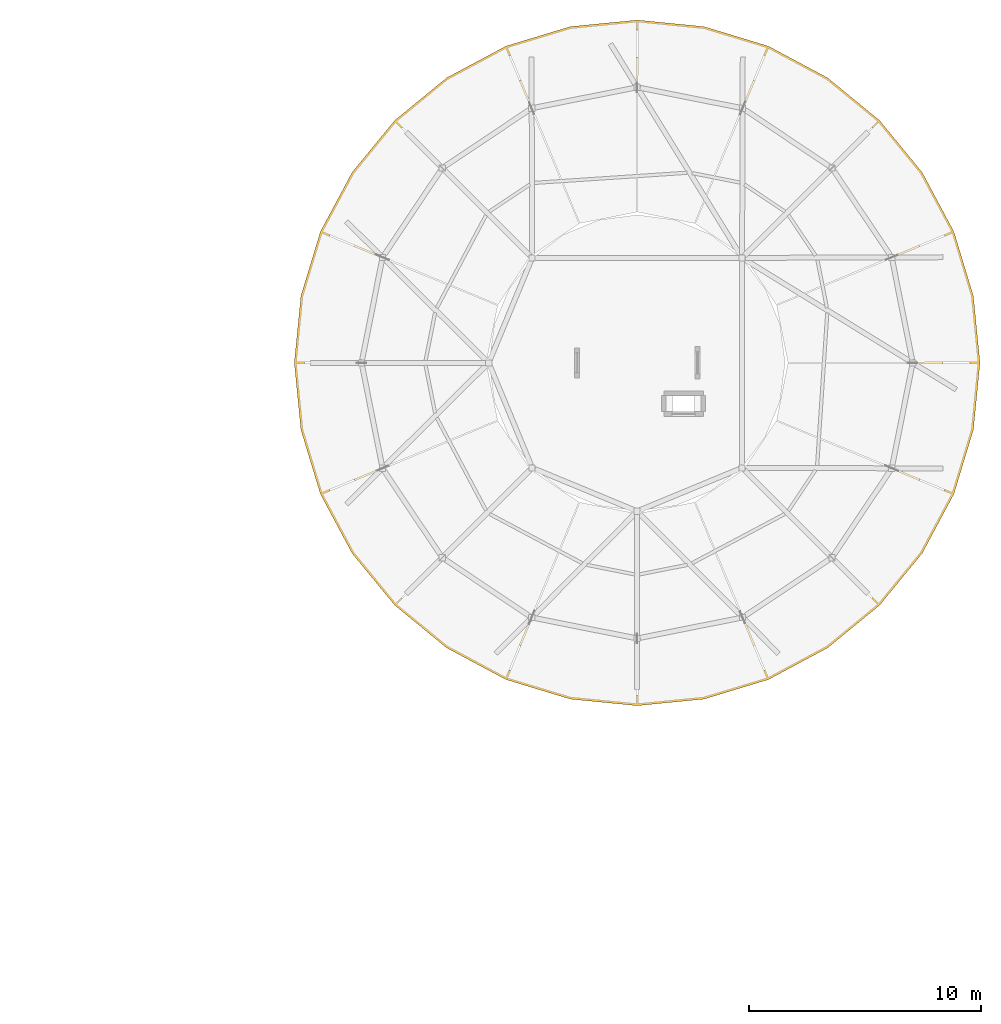
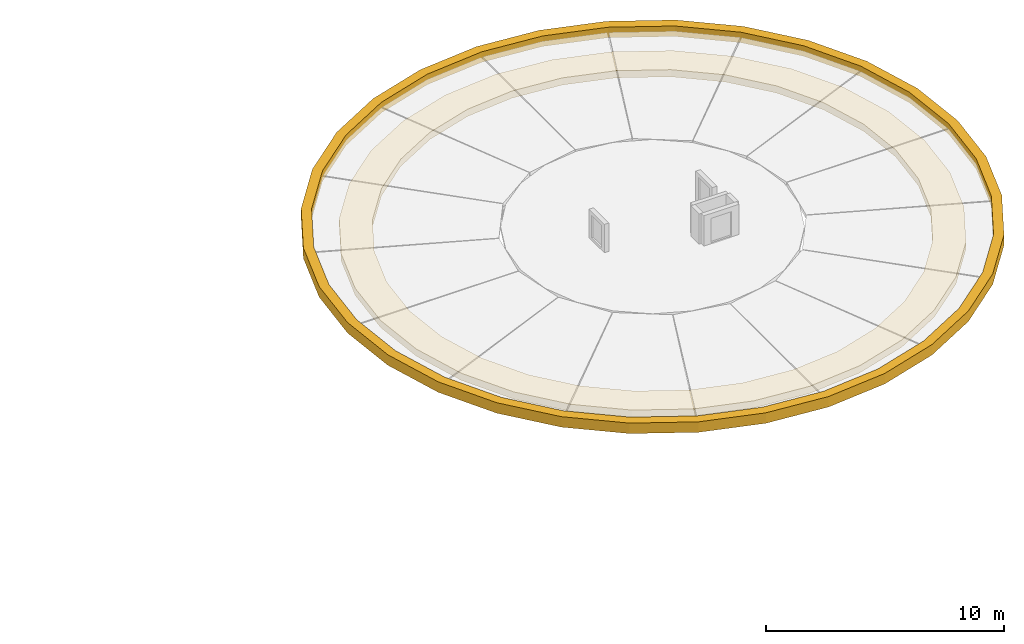
# One storey, part 30 of 30: 2 coverings.
"""IFC4 building model written with IfcOpenShell, lengths in metres."""

from ifc_helpers import new_model, si_unit, direction, frame, origin, place, context, subcontext, project, spatial, polyline, outline, extrude, material, layer, layer_set, type_object, element, save


model = new_model("IFC4")

# Units and contexts
model_context = context("Model", 3, precision=1e-05, world=origin(), true_north=direction((0.0, 1.0)))
body_context = subcontext(model_context, "Body", "Model", "MODEL_VIEW")
ifc_project = project(units=[si_unit("LENGTHUNIT", "METRE"), si_unit("AREAUNIT", "SQUARE_METRE"), si_unit("VOLUMEUNIT", "CUBIC_METRE"), si_unit("PLANEANGLEUNIT", "RADIAN"), si_unit("MASSUNIT", "GRAM", prefix="KILO")], contexts=[model_context])

# Site, building, storey
site_placement = place(None, origin())
site = spatial("IfcSite", under=ifc_project, at=site_placement, CompositionType="ELEMENT")
building_placement = place(site_placement, origin())
building = spatial("IfcBuilding", under=site, at=building_placement, Name="Aldenvaro Health Centre", CompositionType="ELEMENT")
storey_placement = place(building_placement, frame((0.0, 0.0, 17.14990234375)))
storey = spatial("IfcBuildingStorey", under=building, at=storey_placement, Name="L04", CompositionType="ELEMENT", Elevation=17.14990234375)

# Coverings
ifc_material = material(Name="Honed Sonoran Buff Limestone", Category="masonry")
ifc_layer = layer(ifc_material, 0.280029296875, Name="Honed Sonoran Buff Limestone", Category="masonry")
ifc_layer_set = layer_set([ifc_layer], Name="Honed Sonoran Buff Limestone")
covering_type = type_object("IfcCoveringType", Name="COV-CRN-STN", PredefinedType="CLADDING", material=ifc_layer_set)
covering_1_placement = place(storey_placement, frame((0.0, 0.0, 0.260009765625)))
element("IfcCovering", 1, at=covering_1_placement, inside=storey, type_object=covering_type, Name="D2 Classical Roof Entablature Frieze 1", PredefinedType="CLADDING", context=body_context, shape_type="SweptSolid", body=[
    extrude(outline(polyline([(167.679931640625, 99.5), (167.427001953125, 102.071044921875), (166.677001953125, 104.5439453125), (165.458984375, 106.822021484375), (163.820068359375, 108.820068359375), (161.822021484375, 110.458984375), (159.5439453125, 111.677001953125), (157.071044921875, 112.427001953125), (154.5, 112.679931640625), (151.928955078125, 112.427001953125), (149.4560546875, 111.677001953125), (147.177978515625, 110.458984375), (145.179931640625, 108.820068359375), (143.541015625, 106.822021484375), (142.322998046875, 104.5439453125), (141.572998046875, 102.071044921875), (141.320068359375, 99.5), (141.572998046875, 96.928955078125), (142.322998046875, 94.4560546875), (143.541015625, 92.177978515625), (145.179931640625, 90.179931640625), (147.177978515625, 88.541015625), (149.4560546875, 87.322998046875), (151.928955078125, 86.572998046875), (154.5, 86.320068359375), (157.071044921875, 86.572998046875), (159.5439453125, 87.322998046875), (161.822021484375, 88.541015625), (163.820068359375, 90.179931640625), (165.458984375, 92.177978515625), (166.677001953125, 94.4560546875), (167.427001953125, 96.928955078125), (167.679931640625, 99.5)]), holes=[polyline([(166.280029296875, 99.5), (166.053955078125, 97.201904296875), (165.383056640625, 94.991943359375), (164.294921875, 92.955078125), (162.830078125, 91.169921875), (161.044921875, 89.705078125), (159.008056640625, 88.616943359375), (156.798095703125, 87.946044921875), (154.5, 87.719970703125), (152.201904296875, 87.946044921875), (149.991943359375, 88.616943359375), (147.955078125, 89.705078125), (146.169921875, 91.169921875), (144.705078125, 92.955078125), (143.616943359375, 94.991943359375), (142.946044921875, 97.201904296875), (142.719970703125, 99.5), (142.946044921875, 101.798095703125), (143.616943359375, 104.008056640625), (144.705078125, 106.044921875), (146.169921875, 107.830078125), (147.955078125, 109.294921875), (149.991943359375, 110.383056640625), (152.201904296875, 111.053955078125), (154.5, 111.280029296875), (156.798095703125, 111.053955078125), (159.008056640625, 110.383056640625), (161.044921875, 109.294921875), (162.830078125, 107.830078125), (164.294921875, 106.044921875), (165.383056640625, 104.008056640625), (166.053955078125, 101.798095703125), (166.280029296875, 99.5)])]), origin(), (0.0, 0.0, 1.0), 0.364990234375),
])
covering_2_placement = place(storey_placement, frame((0.0, 0.0, 0.5400390625)))
element("IfcCovering", 2, at=covering_2_placement, inside=storey, type_object=covering_type, Name="D2 Classical Overhanging Corona and Attic Ring", PredefinedType="CLADDING", context=body_context, shape_type="SweptSolid", body=[
    extrude(outline(polyline([(169.280029296875, 99.5), (168.99609375, 102.383056640625), (168.155029296875, 105.156005859375), (166.7890625, 107.7109375), (164.950927734375, 109.950927734375), (162.7109375, 111.7890625), (160.156005859375, 113.155029296875), (157.383056640625, 113.99609375), (154.5, 114.280029296875), (151.616943359375, 113.99609375), (148.843994140625, 113.155029296875), (146.2890625, 111.7890625), (144.049072265625, 109.950927734375), (142.2109375, 107.7109375), (140.844970703125, 105.156005859375), (140.00390625, 102.383056640625), (139.719970703125, 99.5), (140.00390625, 96.616943359375), (140.844970703125, 93.843994140625), (142.2109375, 91.2890625), (144.049072265625, 89.049072265625), (146.2890625, 87.2109375), (148.843994140625, 85.844970703125), (151.616943359375, 85.00390625), (154.5, 84.719970703125), (157.383056640625, 85.00390625), (160.156005859375, 85.844970703125), (162.7109375, 87.2109375), (164.950927734375, 89.049072265625), (166.7890625, 91.2890625), (168.155029296875, 93.843994140625), (168.99609375, 96.616943359375), (169.280029296875, 99.5)]), holes=[polyline([(168.840087890625, 99.5), (168.56396484375, 96.701904296875), (167.748046875, 94.011962890625), (166.423095703125, 91.532958984375), (164.639892578125, 89.360107421875), (162.467041015625, 87.576904296875), (159.988037109375, 86.251953125), (157.298095703125, 85.43603515625), (154.5, 85.159912109375), (151.701904296875, 85.43603515625), (149.011962890625, 86.251953125), (146.532958984375, 87.576904296875), (144.360107421875, 89.360107421875), (142.576904296875, 91.532958984375), (141.251953125, 94.011962890625), (140.43603515625, 96.701904296875), (140.159912109375, 99.5), (140.43603515625, 102.298095703125), (141.251953125, 104.988037109375), (142.576904296875, 107.467041015625), (144.360107421875, 109.639892578125), (146.532958984375, 111.423095703125), (149.011962890625, 112.748046875), (151.701904296875, 113.56396484375), (154.5, 113.840087890625), (157.298095703125, 113.56396484375), (159.988037109375, 112.748046875), (162.467041015625, 111.423095703125), (164.639892578125, 109.639892578125), (166.423095703125, 107.467041015625), (167.748046875, 104.988037109375), (168.56396484375, 102.298095703125), (168.840087890625, 99.5)])]), origin(), (0.0, 0.0, 1.0), 0.53515625),
])

save(model, "model.ifc")
